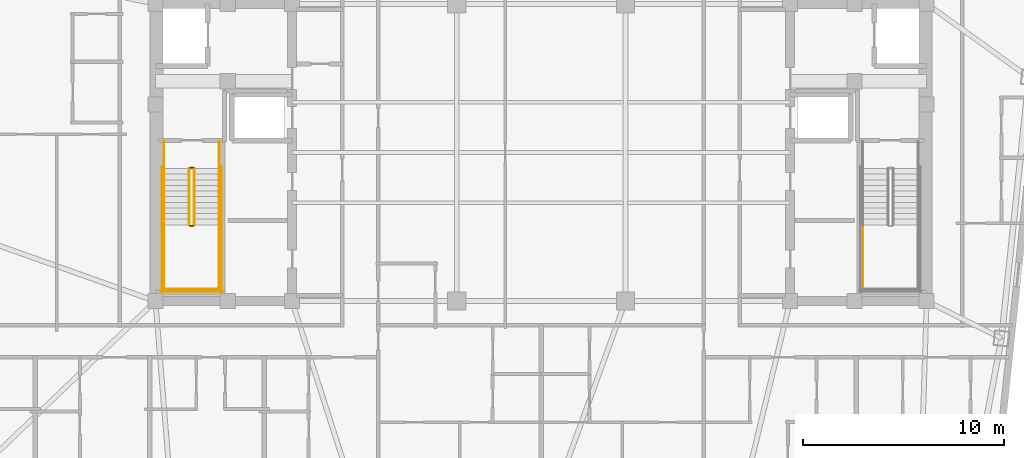
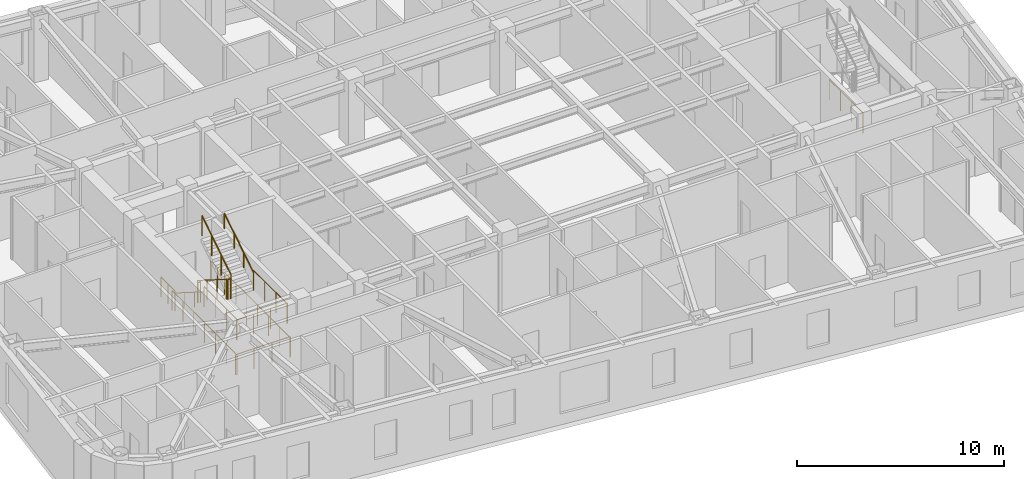
# One storey, part 10 of 11: 15 railings.
"""IFC4 building model written with IfcOpenShell, lengths in metres."""

from ifc_helpers import new_model, si_unit, direction, frame, origin, origin_2d, place, context, subcontext, project, spatial, circle, extrude, material, type_object, element, save


model = new_model("IFC4")

# Units and contexts
model_context = context("Model", 3, precision=1e-05, world=origin(), true_north=direction((0.0, 1.0)))
body_context = subcontext(model_context, "Body", "Model", "MODEL_VIEW")
ifc_project = project(units=[si_unit("LENGTHUNIT", "METRE"), si_unit("AREAUNIT", "SQUARE_METRE"), si_unit("VOLUMEUNIT", "CUBIC_METRE"), si_unit("PLANEANGLEUNIT", "RADIAN"), si_unit("MASSUNIT", "GRAM", prefix="KILO")], contexts=[model_context])

# Site, building, storey
site_placement = place(None, origin())
site = spatial("IfcSite", under=ifc_project, at=site_placement, CompositionType="ELEMENT")
building_placement = place(site_placement, origin())
building = spatial("IfcBuilding", under=site, at=building_placement, Name="Voryun Gate Residences", CompositionType="ELEMENT")
storey_placement = place(building_placement, frame((0.0, 0.0, 295.10009765625)))
storey = spatial("IfcBuildingStorey", under=building, at=storey_placement, Name="L73", CompositionType="ELEMENT", Elevation=295.10009765625)

# Railings
ifc_material_1 = material(Name="Painted steel", Category="steel")
railing_type_1 = type_object("IfcRailingType", Name="RAIL_STAIR_GUARD_1200", PredefinedType="GUARDRAIL", material=ifc_material_1)
railing_1_placement = place(storey_placement, frame((-17.52490234375, -0.800048828125, 0.17724609375)))
element("IfcRailing", 1, at=railing_1_placement, inside=storey, type_object=railing_type_1, Name="L73 ST-W1 stair guard 1", PredefinedType="GUARDRAIL", context=body_context, shape_type="SweptSolid", body=[
    extrude(circle(Radius=0.02392578125, at=origin_2d()), frame((0.0, 0.0, 1.17578125), z_axis=(0.0, -0.844908973607, 0.534910110503), x_axis=(1.0, 0.0, 0.0)), (0.0, 0.0, 1.0), 3.31396484375),
    extrude(circle(Radius=0.02099609375, at=origin_2d()), origin(), (0.0, 0.0, 1.0), 1.15185546875),
    extrude(circle(Radius=0.02099609375, at=origin_2d()), frame((0.0, -0.933349609375, 0.5908203125)), (0.0, 0.0, 1.0), 1.15185546875),
    extrude(circle(Radius=0.02099609375, at=origin_2d()), frame((0.0, -1.86669921875, 1.181884765625)), (0.0, 0.0, 1.0), 1.15185546875),
    extrude(circle(Radius=0.02099609375, at=origin_2d()), frame((0.0, -2.800048828125, 1.772705078125)), (0.0, 0.0, 1.0), 1.15185546875),
])
railing_2_placement = place(storey_placement, frame((-17.47509765625, -3.64990234375, 1.949951171875)))
element("IfcRailing", 2, at=railing_2_placement, inside=storey, type_object=railing_type_1, Name="L73 ST-W1 stair guard 2", PredefinedType="GUARDRAIL", context=body_context, shape_type="SweptSolid", body=[
    extrude(circle(Radius=0.02392578125, at=origin_2d()), frame((0.0, 0.0, 1.17578125), z_axis=(1.0, 0.0, 0.0), x_axis=(0.0, 1.0, 0.0)), (0.0, 0.0, 1.0), 0.150146484375),
    extrude(circle(Radius=0.02099609375, at=origin_2d()), origin(), (0.0, 0.0, 1.0), 1.15185546875),
    extrude(circle(Radius=0.02099609375, at=origin_2d()), frame((0.150146484375, 0.0, 0.0)), (0.0, 0.0, 1.0), 1.15185546875),
])
for number, where, name in (
    (3, (-18.77490234375, -3.60009765625, 1.949951171875), "L73 ST-W1 stair guard 3"),
    (4, (-16.02490234375, -3.60009765625, 1.949951171875), "L73 ST-W1 stair guard 4"),
):
    element("IfcRailing", number, at=place(storey_placement, frame(where)), inside=storey, type_object=railing_type_1, Name=name, PredefinedType="GUARDRAIL", context=body_context, shape_type="SweptSolid", body=[
        extrude(circle(Radius=0.02392578125, at=origin_2d()), frame((0.0, 0.0, 1.17578125), z_axis=(0.0, -1.0, 0.0), x_axis=(1.0, 0.0, 0.0)), (0.0, 0.0, 1.0), 3.25),
        extrude(circle(Radius=0.02099609375, at=origin_2d()), origin(), (0.0, 0.0, 1.0), 1.15185546875),
        extrude(circle(Radius=0.02099609375, at=origin_2d()), frame((0.0, -1.083251953125, 0.0)), (0.0, 0.0, 1.0), 1.15185546875),
        extrude(circle(Radius=0.02099609375, at=origin_2d()), frame((0.0, -2.166748046875, 0.0)), (0.0, 0.0, 1.0), 1.15185546875),
        extrude(circle(Radius=0.02099609375, at=origin_2d()), frame((0.0, -3.25, 0.0)), (0.0, 0.0, 1.0), 1.15185546875),
    ])
railing_3_placement = place(storey_placement, frame((-18.824951171875, -6.800048828125, 1.949951171875)))
element("IfcRailing", 5, at=railing_3_placement, inside=storey, type_object=railing_type_1, Name="L73 ST-W1 stair guard 5", PredefinedType="GUARDRAIL", context=body_context, shape_type="SweptSolid", body=[
    extrude(circle(Radius=0.02392578125, at=origin_2d()), frame((0.0, 0.0, 1.17578125), z_axis=(1.0, 0.0, 0.0), x_axis=(0.0, 1.0, 0.0)), (0.0, 0.0, 1.0), 2.849853515625),
    extrude(circle(Radius=0.02099609375, at=origin_2d()), origin(), (0.0, 0.0, 1.0), 1.15185546875),
    extrude(circle(Radius=0.02099609375, at=origin_2d()), frame((0.949951171875, 0.0, 0.0)), (0.0, 0.0, 1.0), 1.15185546875),
    extrude(circle(Radius=0.02099609375, at=origin_2d()), frame((1.89990234375, 0.0, 0.0)), (0.0, 0.0, 1.0), 1.15185546875),
    extrude(circle(Radius=0.02099609375, at=origin_2d()), frame((2.849853515625, 0.0, 0.0)), (0.0, 0.0, 1.0), 1.15185546875),
])
railing_4_placement = place(storey_placement, frame((-17.27490234375, -3.60009765625, 2.127197265625)))
element("IfcRailing", 6, at=railing_4_placement, inside=storey, type_object=railing_type_1, Name="L73 ST-W1 stair guard 6", PredefinedType="GUARDRAIL", context=body_context, shape_type="SweptSolid", body=[
    extrude(circle(Radius=0.02392578125, at=origin_2d()), frame((0.0, 0.0, 1.17578125), z_axis=(0.0, 0.844908973607, 0.534910110503), x_axis=(-1.0, 0.0, 0.0)), (0.0, 0.0, 1.0), 3.31396484375),
    extrude(circle(Radius=0.02099609375, at=origin_2d()), origin(), (0.0, 0.0, 1.0), 1.15185546875),
    extrude(circle(Radius=0.02099609375, at=origin_2d()), frame((0.0, 0.933349609375, 0.5908203125)), (0.0, 0.0, 1.0), 1.15185546875),
    extrude(circle(Radius=0.02099609375, at=origin_2d()), frame((0.0, 1.86669921875, 1.181884765625)), (0.0, 0.0, 1.0), 1.15185546875),
    extrude(circle(Radius=0.02099609375, at=origin_2d()), frame((0.0, 2.800048828125, 1.772705078125)), (0.0, 0.0, 1.0), 1.15185546875),
])
railing_5_placement = place(storey_placement, frame((-17.47509765625, -0.75, 0.0)))
element("IfcRailing", 7, at=railing_5_placement, inside=storey, type_object=railing_type_1, Name="L73 ST-W1 stair guard 7", PredefinedType="GUARDRAIL", context=body_context, shape_type="SweptSolid", body=[
    extrude(circle(Radius=0.02392578125, at=origin_2d()), frame((0.0, 0.0, 1.17578125), z_axis=(1.0, 0.0, 0.0), x_axis=(0.0, 1.0, 0.0)), (0.0, 0.0, 1.0), 0.150146484375),
    extrude(circle(Radius=0.02099609375, at=origin_2d()), origin(), (0.0, 0.0, 1.0), 1.15185546875),
    extrude(circle(Radius=0.02099609375, at=origin_2d()), frame((0.150146484375, 0.0, 0.0)), (0.0, 0.0, 1.0), 1.15185546875),
])
for number, where, name in (
    (8, (-18.77490234375, 0.550048828125, 0.0), "L73 ST-W1 stair guard 8"),
    (9, (-16.02490234375, 0.550048828125, 0.0), "L73 ST-W1 stair guard 9"),
):
    element("IfcRailing", number, at=place(storey_placement, frame(where)), inside=storey, type_object=railing_type_1, Name=name, PredefinedType="GUARDRAIL", context=body_context, shape_type="SweptSolid", body=[
        extrude(circle(Radius=0.02392578125, at=origin_2d()), frame((0.0, 0.0, 1.17578125), z_axis=(0.0, -1.0, 0.0), x_axis=(1.0, 0.0, 0.0)), (0.0, 0.0, 1.0), 1.35009765625),
        extrude(circle(Radius=0.02099609375, at=origin_2d()), origin(), (0.0, 0.0, 1.0), 1.15185546875),
        extrude(circle(Radius=0.02099609375, at=origin_2d()), frame((0.0, -0.675048828125, 0.0)), (0.0, 0.0, 1.0), 1.15185546875),
        extrude(circle(Radius=0.02099609375, at=origin_2d()), frame((0.0, -1.35009765625, 0.0)), (0.0, 0.0, 1.0), 1.15185546875),
    ])
for number, where, name in (
    (10, (-18.875, -0.699951171875, 0.0), "L73 ST-W1 stair guard 10"),
    (11, (-15.925048828125, -0.699951171875, 0.0), "L73 ST-W1 stair guard 11"),
):
    element("IfcRailing", number, at=place(storey_placement, frame(where)), inside=storey, type_object=railing_type_1, Name=name, PredefinedType="GUARDRAIL", context=body_context, shape_type="SweptSolid", body=[
        extrude(circle(Radius=0.02392578125, at=origin_2d()), frame((0.0, 0.0, 1.17578125), z_axis=(0.0, -1.0, 0.0), x_axis=(1.0, 0.0, 0.0)), (0.0, 0.0, 1.0), 6.25),
        extrude(circle(Radius=0.02099609375, at=origin_2d()), origin(), (0.0, 0.0, 1.0), 1.15185546875),
        extrude(circle(Radius=0.02099609375, at=origin_2d()), frame((0.0, -1.041748046875, 0.0)), (0.0, 0.0, 1.0), 1.15185546875),
        extrude(circle(Radius=0.02099609375, at=origin_2d()), frame((0.0, -2.083251953125, 0.0)), (0.0, 0.0, 1.0), 1.15185546875),
        extrude(circle(Radius=0.02099609375, at=origin_2d()), frame((0.0, -3.125, 0.0)), (0.0, 0.0, 1.0), 1.15185546875),
        extrude(circle(Radius=0.02099609375, at=origin_2d()), frame((0.0, -4.166748046875, 0.0)), (0.0, 0.0, 1.0), 1.15185546875),
        extrude(circle(Radius=0.02099609375, at=origin_2d()), frame((0.0, -5.208251953125, 0.0)), (0.0, 0.0, 1.0), 1.15185546875),
        extrude(circle(Radius=0.02099609375, at=origin_2d()), frame((0.0, -6.25, 0.0)), (0.0, 0.0, 1.0), 1.15185546875),
    ])
railing_6_placement = place(storey_placement, frame((-18.925048828125, -6.89990234375, 0.0)))
element("IfcRailing", 12, at=railing_6_placement, inside=storey, type_object=railing_type_1, Name="L73 ST-W1 stair guard 12", PredefinedType="GUARDRAIL", context=body_context, shape_type="SweptSolid", body=[
    extrude(circle(Radius=0.02392578125, at=origin_2d()), frame((0.0, 0.0, 1.17578125), z_axis=(1.0, 0.0, 0.0), x_axis=(0.0, 1.0, 0.0)), (0.0, 0.0, 1.0), 3.050048828125),
    extrude(circle(Radius=0.02099609375, at=origin_2d()), origin(), (0.0, 0.0, 1.0), 1.15185546875),
    extrude(circle(Radius=0.02099609375, at=origin_2d()), frame((1.0166015625, 0.0, 0.0)), (0.0, 0.0, 1.0), 1.15185546875),
    extrude(circle(Radius=0.02099609375, at=origin_2d()), frame((2.033447265625, 0.0, 0.0)), (0.0, 0.0, 1.0), 1.15185546875),
    extrude(circle(Radius=0.02099609375, at=origin_2d()), frame((3.050048828125, 0.0, 0.0)), (0.0, 0.0, 1.0), 1.15185546875),
])
railing_7_placement = place(storey_placement, frame((16.02490234375, -3.60009765625, 1.949951171875)))
element("IfcRailing", 13, at=railing_7_placement, inside=storey, type_object=railing_type_1, Name="L73 ST-E1 stair guard 3", PredefinedType="GUARDRAIL", context=body_context, shape_type="SweptSolid", body=[
    extrude(circle(Radius=0.02392578125, at=origin_2d()), frame((0.0, 0.0, 1.17578125), z_axis=(0.0, -1.0, 0.0), x_axis=(1.0, 0.0, 0.0)), (0.0, 0.0, 1.0), 3.25),
    extrude(circle(Radius=0.02099609375, at=origin_2d()), origin(), (0.0, 0.0, 1.0), 1.15185546875),
    extrude(circle(Radius=0.02099609375, at=origin_2d()), frame((0.0, -1.083251953125, 0.0)), (0.0, 0.0, 1.0), 1.15185546875),
    extrude(circle(Radius=0.02099609375, at=origin_2d()), frame((0.0, -2.166748046875, 0.0)), (0.0, 0.0, 1.0), 1.15185546875),
    extrude(circle(Radius=0.02099609375, at=origin_2d()), frame((0.0, -3.25, 0.0)), (0.0, 0.0, 1.0), 1.15185546875),
])
ifc_material_2 = material(Name="Painted steel", Category="steel")
railing_type_2 = type_object("IfcRailingType", Name="RAIL_STAIR_HANDRAIL_900", PredefinedType="HANDRAIL", material=ifc_material_2)
railing_8_placement = place(storey_placement, frame((-18.77490234375, -0.800048828125, 0.17724609375)))
element("IfcRailing", 14, at=railing_8_placement, inside=storey, type_object=railing_type_2, Name="L73 ST-W1 stair handrail 1", PredefinedType="HANDRAIL", context=body_context, shape_type="SweptSolid", body=[
    extrude(circle(Radius=0.02392578125, at=origin_2d()), frame((0.0, 0.0, 0.8759765625), z_axis=(0.0, -0.844908973607, 0.534910110503), x_axis=(1.0, 0.0, 0.0)), (0.0, 0.0, 1.0), 3.31396484375),
    extrude(circle(Radius=0.02099609375, at=origin_2d()), origin(), (0.0, 0.0, 1.0), 0.851806640625),
    extrude(circle(Radius=0.02099609375, at=origin_2d()), frame((0.0, -0.933349609375, 0.5908203125)), (0.0, 0.0, 1.0), 0.851806640625),
    extrude(circle(Radius=0.02099609375, at=origin_2d()), frame((0.0, -1.86669921875, 1.181884765625)), (0.0, 0.0, 1.0), 0.851806640625),
    extrude(circle(Radius=0.02099609375, at=origin_2d()), frame((0.0, -2.800048828125, 1.772705078125)), (0.0, 0.0, 1.0), 0.851806640625),
])
railing_9_placement = place(storey_placement, frame((-16.02490234375, -3.60009765625, 2.127197265625)))
element("IfcRailing", 15, at=railing_9_placement, inside=storey, type_object=railing_type_2, Name="L73 ST-W1 stair handrail 2", PredefinedType="HANDRAIL", context=body_context, shape_type="SweptSolid", body=[
    extrude(circle(Radius=0.02392578125, at=origin_2d()), frame((0.0, 0.0, 0.8759765625), z_axis=(0.0, 0.844908973607, 0.534910110503), x_axis=(-1.0, 0.0, 0.0)), (0.0, 0.0, 1.0), 3.31396484375),
    extrude(circle(Radius=0.02099609375, at=origin_2d()), origin(), (0.0, 0.0, 1.0), 0.851806640625),
    extrude(circle(Radius=0.02099609375, at=origin_2d()), frame((0.0, 0.933349609375, 0.5908203125)), (0.0, 0.0, 1.0), 0.851806640625),
    extrude(circle(Radius=0.02099609375, at=origin_2d()), frame((0.0, 1.86669921875, 1.181884765625)), (0.0, 0.0, 1.0), 0.851806640625),
    extrude(circle(Radius=0.02099609375, at=origin_2d()), frame((0.0, 2.800048828125, 1.772705078125)), (0.0, 0.0, 1.0), 0.851806640625),
])

save(model, "model.ifc")
